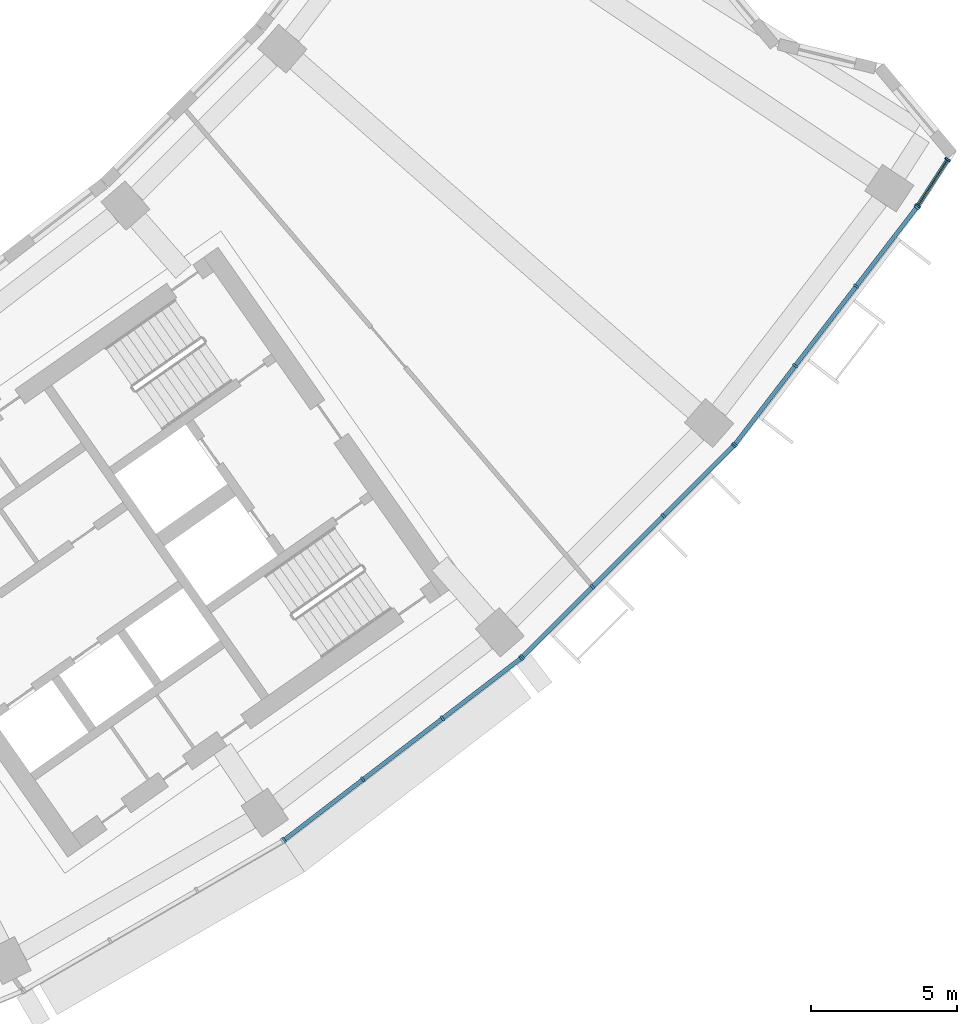
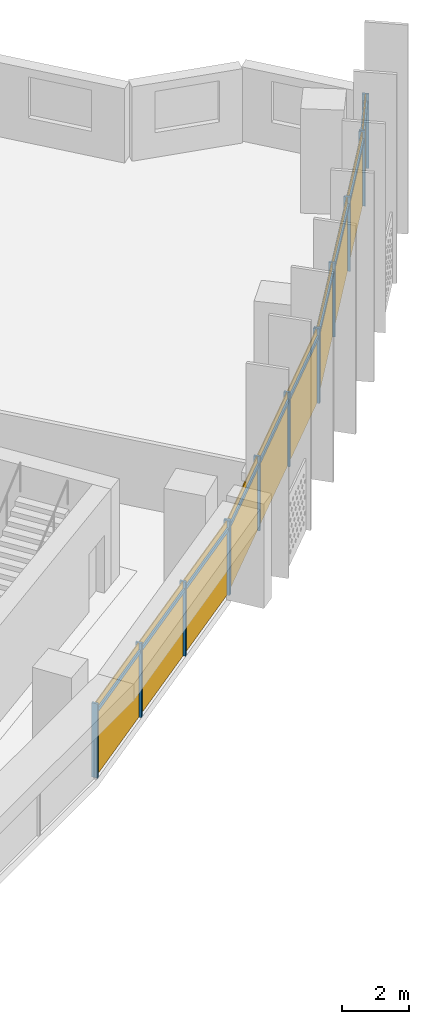
# One storey, part 20 of 27: 24 members, 4 curtain walls.
"""IFC4 building model written with IfcOpenShell, lengths in metres."""

from ifc_helpers import new_model, si_unit, direction, frame, origin, origin_2d, place, context, subcontext, project, spatial, rectangle, extrude, material, material_profile, profile_set, type_object, element, aggregate, save


model = new_model("IFC4")

# Units and contexts
model_context = context("Model", 3, precision=1e-05, world=origin(), true_north=direction((0.0, 1.0)))
body_context = subcontext(model_context, "Body", "Model", "MODEL_VIEW")
ifc_project = project(units=[si_unit("LENGTHUNIT", "METRE"), si_unit("AREAUNIT", "SQUARE_METRE"), si_unit("VOLUMEUNIT", "CUBIC_METRE"), si_unit("PLANEANGLEUNIT", "RADIAN"), si_unit("MASSUNIT", "GRAM", prefix="KILO")], contexts=[model_context])

# Member
ifc_material = material(Name="Aluminium 6063-T6 anodised", Category="aluminium")
ifc_material_profile_1 = material_profile(ifc_material, rectangle(XDim=0.199951171875, YDim=0.070068359375, at=origin_2d()))
ifc_profile_set_1 = profile_set([ifc_material_profile_1], Name="Aluminium 6063-T6 anodised")
member_type_1 = type_object("IfcMemberType", Name="Mullion 70 x 200 aluminium", PredefinedType="MULLION", material=ifc_profile_set_1)
site_placement = place(None, origin())
building_placement = place(site_placement, origin())
storey_placement = place(building_placement, frame((0.0, 0.0, 164.5)))
member_1_placement = place(storey_placement, frame((43.85693359375, -65.58544921875, 0.0), z_axis=(0.0, 0.0, 1.0), x_axis=(-0.608761429009, 0.793353340291, 0.0)))
member_1 = element("IfcMember", 1, at=member_1_placement, type_object=member_type_1, Name="e-cw1-L38-out12/M00", PredefinedType="MULLION", context=body_context, shape_type="SweptSolid", body=[
    extrude(rectangle(XDim=0.199951171875, YDim=0.070068359375, at=origin_2d()), origin(), (0.0, 0.0, 1.0), 2.699951171875),
])

member_2_placement = place(storey_placement, frame((46.56201171875, -63.509765625, 0.0), z_axis=(0.0, 0.0, 1.0), x_axis=(-0.608761429009, 0.793353340291, 0.0)))
member_2 = element("IfcMember", 2, at=member_2_placement, type_object=member_type_1, Name="e-cw1-L38-out12/M01", PredefinedType="MULLION", context=body_context, shape_type="SweptSolid", body=[
    extrude(rectangle(XDim=0.199951171875, YDim=0.070068359375, at=origin_2d()), origin(), (0.0, 0.0, 1.0), 2.699951171875),
])

member_3_placement = place(storey_placement, frame((49.294677734375, -61.412841796875, 0.0), z_axis=(0.0, 0.0, 1.0), x_axis=(-0.608761429009, 0.793353340291, 0.0)))
member_3 = element("IfcMember", 3, at=member_3_placement, type_object=member_type_1, Name="e-cw1-L38-out12/M02", PredefinedType="MULLION", context=body_context, shape_type="SweptSolid", body=[
    extrude(rectangle(XDim=0.199951171875, YDim=0.070068359375, at=origin_2d()), origin(), (0.0, 0.0, 1.0), 2.699951171875),
])

member_4_placement = place(storey_placement, frame((51.999755859375, -59.33740234375, 0.0), z_axis=(0.0, 0.0, 1.0), x_axis=(-0.608761429009, 0.793353340291, 0.0)))
member_4 = element("IfcMember", 4, at=member_4_placement, type_object=member_type_1, Name="e-cw1-L38-out12/M03", PredefinedType="MULLION", context=body_context, shape_type="SweptSolid", body=[
    extrude(rectangle(XDim=0.199951171875, YDim=0.070068359375, at=origin_2d()), origin(), (0.0, 0.0, 1.0), 2.699951171875),
])

member_5_placement = place(storey_placement, frame((52.042236328125, -59.2998046875, 0.0), z_axis=(0.0, 0.0, 1.0), x_axis=(-0.707106781187, 0.707106781187, 0.0)))
member_5 = element("IfcMember", 5, at=member_5_placement, type_object=member_type_1, Name="e-cw1-L38-out13/M00", PredefinedType="MULLION", context=body_context, shape_type="SweptSolid", body=[
    extrude(rectangle(XDim=0.199951171875, YDim=0.070068359375, at=origin_2d()), origin(), (0.0, 0.0, 1.0), 2.699951171875),
])

member_6_placement = place(storey_placement, frame((54.453369140625, -56.888916015625, 0.0), z_axis=(0.0, 0.0, 1.0), x_axis=(-0.707106781187, 0.707106781187, 0.0)))
member_6 = element("IfcMember", 6, at=member_6_placement, type_object=member_type_1, Name="e-cw1-L38-out13/M01", PredefinedType="MULLION", context=body_context, shape_type="SweptSolid", body=[
    extrude(rectangle(XDim=0.199951171875, YDim=0.070068359375, at=origin_2d()), origin(), (0.0, 0.0, 1.0), 2.699951171875),
])

member_7_placement = place(storey_placement, frame((56.888916015625, -54.453369140625, 0.0), z_axis=(0.0, 0.0, 1.0), x_axis=(-0.707106781187, 0.707106781187, 0.0)))
member_7 = element("IfcMember", 7, at=member_7_placement, type_object=member_type_1, Name="e-cw1-L38-out13/M02", PredefinedType="MULLION", context=body_context, shape_type="SweptSolid", body=[
    extrude(rectangle(XDim=0.199951171875, YDim=0.070068359375, at=origin_2d()), origin(), (0.0, 0.0, 1.0), 2.699951171875),
])

member_8_placement = place(storey_placement, frame((59.2998046875, -52.042236328125, 0.0), z_axis=(0.0, 0.0, 1.0), x_axis=(-0.707106781187, 0.707106781187, 0.0)))
member_8 = element("IfcMember", 8, at=member_8_placement, type_object=member_type_1, Name="e-cw1-L38-out13/M03", PredefinedType="MULLION", context=body_context, shape_type="SweptSolid", body=[
    extrude(rectangle(XDim=0.199951171875, YDim=0.070068359375, at=origin_2d()), origin(), (0.0, 0.0, 1.0), 2.699951171875),
])

member_9_placement = place(storey_placement, frame((59.33740234375, -51.999755859375, 0.0), z_axis=(0.0, 0.0, 1.0), x_axis=(-0.793353340291, 0.608761429009, 0.0)))
member_9 = element("IfcMember", 9, at=member_9_placement, type_object=member_type_1, Name="e-cw1-L38-out14/M00", PredefinedType="MULLION", context=body_context, shape_type="SweptSolid", body=[
    extrude(rectangle(XDim=0.199951171875, YDim=0.070068359375, at=origin_2d()), origin(), (0.0, 0.0, 1.0), 2.699951171875),
])

member_10_placement = place(storey_placement, frame((61.412841796875, -49.294677734375, 0.0), z_axis=(0.0, 0.0, 1.0), x_axis=(-0.793353340291, 0.608761429009, 0.0)))
member_10 = element("IfcMember", 10, at=member_10_placement, type_object=member_type_1, Name="e-cw1-L38-out14/M01", PredefinedType="MULLION", context=body_context, shape_type="SweptSolid", body=[
    extrude(rectangle(XDim=0.199951171875, YDim=0.070068359375, at=origin_2d()), origin(), (0.0, 0.0, 1.0), 2.699951171875),
])

member_11_placement = place(storey_placement, frame((63.509765625, -46.56201171875, 0.0), z_axis=(0.0, 0.0, 1.0), x_axis=(-0.793353340291, 0.608761429009, 0.0)))
member_11 = element("IfcMember", 11, at=member_11_placement, type_object=member_type_1, Name="e-cw1-L38-out14/M02", PredefinedType="MULLION", context=body_context, shape_type="SweptSolid", body=[
    extrude(rectangle(XDim=0.199951171875, YDim=0.070068359375, at=origin_2d()), origin(), (0.0, 0.0, 1.0), 2.699951171875),
])

member_12_placement = place(storey_placement, frame((65.58544921875, -43.85693359375, 0.0), z_axis=(0.0, 0.0, 1.0), x_axis=(-0.793353340291, 0.608761429009, 0.0)))
member_12 = element("IfcMember", 12, at=member_12_placement, type_object=member_type_1, Name="e-cw1-L38-out14/M03", PredefinedType="MULLION", context=body_context, shape_type="SweptSolid", body=[
    extrude(rectangle(XDim=0.199951171875, YDim=0.070068359375, at=origin_2d()), origin(), (0.0, 0.0, 1.0), 2.699951171875),
])

member_13_placement = place(storey_placement, frame((65.62109375, -43.806396484375, 0.0), z_axis=(0.0, 0.0, 1.0), x_axis=(-0.839646175777, 0.543133776802, 0.0)))
member_13 = element("IfcMember", 13, at=member_13_placement, type_object=member_type_1, Name="e-cw1-L38-out15/M00", PredefinedType="MULLION", context=body_context, shape_type="SweptSolid", body=[
    extrude(rectangle(XDim=0.199951171875, YDim=0.070068359375, at=origin_2d()), origin(), (0.0, 0.0, 1.0), 2.699951171875),
])

member_14_placement = place(storey_placement, frame((66.651123046875, -42.2138671875, 0.0), z_axis=(0.0, 0.0, 1.0), x_axis=(-0.839646175777, 0.543133776802, 0.0)))
member_14 = element("IfcMember", 14, at=member_14_placement, type_object=member_type_1, Name="e-cw1-L38-out15/M01", PredefinedType="MULLION", context=body_context, shape_type="SweptSolid", body=[
    extrude(rectangle(XDim=0.199951171875, YDim=0.070068359375, at=origin_2d()), origin(), (0.0, 0.0, 1.0), 2.699951171875),
])

ifc_material_profile_2 = material_profile(ifc_material, rectangle(XDim=0.139892578125, YDim=0.1201171875, at=origin_2d()))
ifc_profile_set_2 = profile_set([ifc_material_profile_2], Name="Aluminium 6063-T6 anodised")
member_type_2 = type_object("IfcMemberType", Name="Transom 120 x 140 aluminium", PredefinedType="USERDEFINED", material=ifc_profile_set_2)
member_15_placement = place(storey_placement, frame((43.884765625, -65.564208984375, 2.39990234375), z_axis=(0.793354486861, 0.608759934767, 0.0), x_axis=(-0.608759934767, 0.793354486861, 0.0)))
member_15 = element("IfcMember", 15, at=member_15_placement, type_object=member_type_2, Name="e-cw1-L38-out12/T00", ObjectType="TRANSOM", PredefinedType="USERDEFINED", context=body_context, shape_type="SweptSolid", body=[
    extrude(rectangle(XDim=0.139892578125, YDim=0.1201171875, at=origin_2d()), origin(), (0.0, 0.0, 1.0), 3.339599609375),
])

member_16_placement = place(storey_placement, frame((46.589599609375, -63.488525390625, 2.39990234375), z_axis=(0.793371081522, 0.608738307489, 0.0), x_axis=(-0.608738307489, 0.793371081522, 0.0)))
member_16 = element("IfcMember", 16, at=member_16_placement, type_object=member_type_2, Name="e-cw1-L38-out12/T01", ObjectType="TRANSOM", PredefinedType="USERDEFINED", context=body_context, shape_type="SweptSolid", body=[
    extrude(rectangle(XDim=0.139892578125, YDim=0.1201171875, at=origin_2d()), origin(), (0.0, 0.0, 1.0), 3.37451171875),
])

member_17_placement = place(storey_placement, frame((49.322509765625, -61.3916015625, 2.39990234375), z_axis=(0.793354486861, 0.608759934767, 0.0), x_axis=(-0.608759934767, 0.793354486861, 0.0)))
member_17 = element("IfcMember", 17, at=member_17_placement, type_object=member_type_2, Name="e-cw1-L38-out12/T02", ObjectType="TRANSOM", PredefinedType="USERDEFINED", context=body_context, shape_type="SweptSolid", body=[
    extrude(rectangle(XDim=0.139892578125, YDim=0.1201171875, at=origin_2d()), origin(), (0.0, 0.0, 1.0), 3.339599609375),
])

member_18_placement = place(storey_placement, frame((52.067138671875, -59.275146484375, 2.39990234375), z_axis=(0.707106781187, 0.707106781187, 0.0), x_axis=(-0.707106781187, 0.707106781187, 0.0)))
member_18 = element("IfcMember", 18, at=member_18_placement, type_object=member_type_2, Name="e-cw1-L38-out13/T00", ObjectType="TRANSOM", PredefinedType="USERDEFINED", context=body_context, shape_type="SweptSolid", body=[
    extrude(rectangle(XDim=0.139892578125, YDim=0.1201171875, at=origin_2d()), origin(), (0.0, 0.0, 1.0), 3.33935546875),
])

member_19_placement = place(storey_placement, frame((54.47802734375, -56.8642578125, 2.39990234375), z_axis=(0.707106781187, 0.707106781187, 0.0), x_axis=(-0.707106781187, 0.707106781187, 0.0)))
member_19 = element("IfcMember", 19, at=member_19_placement, type_object=member_type_2, Name="e-cw1-L38-out13/T01", ObjectType="TRANSOM", PredefinedType="USERDEFINED", context=body_context, shape_type="SweptSolid", body=[
    extrude(rectangle(XDim=0.139892578125, YDim=0.1201171875, at=origin_2d()), origin(), (0.0, 0.0, 1.0), 3.374755859375),
])

member_20_placement = place(storey_placement, frame((56.913818359375, -54.428466796875, 2.39990234375), z_axis=(0.707106781187, 0.707106781187, 0.0), x_axis=(-0.707106781187, 0.707106781187, 0.0)))
member_20 = element("IfcMember", 20, at=member_20_placement, type_object=member_type_2, Name="e-cw1-L38-out13/T02", ObjectType="TRANSOM", PredefinedType="USERDEFINED", context=body_context, shape_type="SweptSolid", body=[
    extrude(rectangle(XDim=0.139892578125, YDim=0.1201171875, at=origin_2d()), origin(), (0.0, 0.0, 1.0), 3.33935546875),
])

member_21_placement = place(storey_placement, frame((59.358642578125, -51.971923828125, 2.39990234375), z_axis=(0.608759934767, 0.793354486861, 0.0), x_axis=(-0.793354486861, 0.608759934767, 0.0)))
member_21 = element("IfcMember", 21, at=member_21_placement, type_object=member_type_2, Name="e-cw1-L38-out14/T00", ObjectType="TRANSOM", PredefinedType="USERDEFINED", context=body_context, shape_type="SweptSolid", body=[
    extrude(rectangle(XDim=0.139892578125, YDim=0.1201171875, at=origin_2d()), origin(), (0.0, 0.0, 1.0), 3.339599609375),
])

member_22_placement = place(storey_placement, frame((61.434326171875, -49.266845703125, 2.39990234375), z_axis=(0.608738307489, 0.793371081522, 0.0), x_axis=(-0.793371081522, 0.608738307489, 0.0)))
member_22 = element("IfcMember", 22, at=member_22_placement, type_object=member_type_2, Name="e-cw1-L38-out14/T01", ObjectType="TRANSOM", PredefinedType="USERDEFINED", context=body_context, shape_type="SweptSolid", body=[
    extrude(rectangle(XDim=0.139892578125, YDim=0.1201171875, at=origin_2d()), origin(), (0.0, 0.0, 1.0), 3.37451171875),
])

member_23_placement = place(storey_placement, frame((63.53125, -46.5341796875, 2.39990234375), z_axis=(0.608759934767, 0.793354486861, 0.0), x_axis=(-0.793354486861, 0.608759934767, 0.0)))
member_23 = element("IfcMember", 23, at=member_23_placement, type_object=member_type_2, Name="e-cw1-L38-out14/T02", ObjectType="TRANSOM", PredefinedType="USERDEFINED", context=body_context, shape_type="SweptSolid", body=[
    extrude(rectangle(XDim=0.139892578125, YDim=0.1201171875, at=origin_2d()), origin(), (0.0, 0.0, 1.0), 3.339599609375),
])

member_24_placement = place(storey_placement, frame((65.64013671875, -43.77685546875, 2.39990234375), z_axis=(0.543234650814, 0.839580915788, 0.0), x_axis=(-0.839580915788, 0.543234650814, 0.0)))
member_24 = element("IfcMember", 24, at=member_24_placement, type_object=member_type_2, Name="e-cw1-L38-out15/T00", ObjectType="TRANSOM", PredefinedType="USERDEFINED", context=body_context, shape_type="SweptSolid", body=[
    extrude(rectangle(XDim=0.139892578125, YDim=0.1201171875, at=origin_2d()), origin(), (0.0, 0.0, 1.0), 1.826416015625),
])

# Site, building, storey
site = spatial("IfcSite", under=ifc_project, at=site_placement, CompositionType="ELEMENT")
building = spatial("IfcBuilding", under=site, at=building_placement, Name="Qamariyya Broadcast Tower", CompositionType="ELEMENT")
storey = spatial("IfcBuildingStorey", under=building, at=storey_placement, Name="L38", CompositionType="ELEMENT", Elevation=164.5)

# Curtain wall
curtain_wall_type = type_object("IfcCurtainWallType", Name="Unitised curtain wall, anodised aluminium", PredefinedType="NOTDEFINED", material=ifc_material)
curtain_wall_1_placement = place(storey_placement, origin())
curtain_wall_1 = element("IfcCurtainWall", 25, at=curtain_wall_1_placement, inside=storey, type_object=curtain_wall_type, Name="e-cw1-L38-out12", PredefinedType="NOTDEFINED", context=body_context, shape_type="SweptSolid", body=[
    extrude(rectangle(XDim=3.339599609375, YDim=0.031982421875, at=origin_2d()), frame((45.20947265625, -64.547607421875, 0.0), x_axis=(0.793351517557, 0.608763804434, 0.0)), (0.0, 0.0, 1.0), 2.340087890625),
    extrude(rectangle(XDim=3.339599609375, YDim=0.031982421875, at=origin_2d()), frame((45.20947265625, -64.547607421875, 2.4599609375), x_axis=(0.793351517557, 0.608763804434, 0.0)), (0.0, 0.0, 1.0), 0.239990234375),
    extrude(rectangle(XDim=3.37451171875, YDim=0.031982421875, at=origin_2d()), frame((47.92822265625, -62.46142578125, 0.0), x_axis=(0.793351517557, 0.608763804434, 0.0)), (0.0, 0.0, 1.0), 2.340087890625),
    extrude(rectangle(XDim=3.37451171875, YDim=0.031982421875, at=origin_2d()), frame((47.92822265625, -62.46142578125, 2.4599609375), x_axis=(0.793351517557, 0.608763804434, 0.0)), (0.0, 0.0, 1.0), 0.239990234375),
    extrude(rectangle(XDim=3.339599609375, YDim=0.031982421875, at=origin_2d()), frame((50.64697265625, -60.375, 0.0), x_axis=(0.793351517557, 0.608763804434, 0.0)), (0.0, 0.0, 1.0), 2.340087890625),
    extrude(rectangle(XDim=3.339599609375, YDim=0.031982421875, at=origin_2d()), frame((50.64697265625, -60.375, 2.4599609375), x_axis=(0.793351517557, 0.608763804434, 0.0)), (0.0, 0.0, 1.0), 0.239990234375),
])

aggregate(curtain_wall_1, [member_1, member_2, member_3, member_4, member_15, member_16, member_17])

curtain_wall_2_placement = place(storey_placement, origin())
curtain_wall_2 = element("IfcCurtainWall", 26, at=curtain_wall_2_placement, inside=storey, type_object=curtain_wall_type, Name="e-cw1-L38-out13", PredefinedType="NOTDEFINED", context=body_context, shape_type="SweptSolid", body=[
    extrude(rectangle(XDim=3.339599609375, YDim=0.031982421875, at=origin_2d()), frame((53.247802734375, -58.094482421875, 0.0), x_axis=(0.707106781187, 0.707106781187, 0.0)), (0.0, 0.0, 1.0), 2.340087890625),
    extrude(rectangle(XDim=3.339599609375, YDim=0.031982421875, at=origin_2d()), frame((53.247802734375, -58.094482421875, 2.4599609375), x_axis=(0.707106781187, 0.707106781187, 0.0)), (0.0, 0.0, 1.0), 0.239990234375),
    extrude(rectangle(XDim=3.37451171875, YDim=0.031982421875, at=origin_2d()), frame((55.671142578125, -55.671142578125, 0.0), x_axis=(0.707106781187, 0.707106781187, 0.0)), (0.0, 0.0, 1.0), 2.340087890625),
    extrude(rectangle(XDim=3.37451171875, YDim=0.031982421875, at=origin_2d()), frame((55.671142578125, -55.671142578125, 2.4599609375), x_axis=(0.707106781187, 0.707106781187, 0.0)), (0.0, 0.0, 1.0), 0.239990234375),
    extrude(rectangle(XDim=3.339599609375, YDim=0.031982421875, at=origin_2d()), frame((58.094482421875, -53.247802734375, 0.0), x_axis=(0.707106781187, 0.707106781187, 0.0)), (0.0, 0.0, 1.0), 2.340087890625),
    extrude(rectangle(XDim=3.339599609375, YDim=0.031982421875, at=origin_2d()), frame((58.094482421875, -53.247802734375, 2.4599609375), x_axis=(0.707106781187, 0.707106781187, 0.0)), (0.0, 0.0, 1.0), 0.239990234375),
])

aggregate(curtain_wall_2, [member_5, member_6, member_7, member_8, member_18, member_19, member_20])

curtain_wall_3_placement = place(storey_placement, origin())
curtain_wall_3 = element("IfcCurtainWall", 27, at=curtain_wall_3_placement, inside=storey, type_object=curtain_wall_type, Name="e-cw1-L38-out14", PredefinedType="NOTDEFINED", context=body_context, shape_type="SweptSolid", body=[
    extrude(rectangle(XDim=3.339599609375, YDim=0.031982421875, at=origin_2d()), frame((60.375, -50.64697265625, 0.0), x_axis=(0.608763804434, 0.793351517557, 0.0)), (0.0, 0.0, 1.0), 2.340087890625),
    extrude(rectangle(XDim=3.339599609375, YDim=0.031982421875, at=origin_2d()), frame((60.375, -50.64697265625, 2.4599609375), x_axis=(0.608763804434, 0.793351517557, 0.0)), (0.0, 0.0, 1.0), 0.239990234375),
    extrude(rectangle(XDim=3.37451171875, YDim=0.031982421875, at=origin_2d()), frame((62.46142578125, -47.92822265625, 0.0), x_axis=(0.608763804434, 0.793351517557, 0.0)), (0.0, 0.0, 1.0), 2.340087890625),
    extrude(rectangle(XDim=3.37451171875, YDim=0.031982421875, at=origin_2d()), frame((62.46142578125, -47.92822265625, 2.4599609375), x_axis=(0.608763804434, 0.793351517557, 0.0)), (0.0, 0.0, 1.0), 0.239990234375),
    extrude(rectangle(XDim=3.339599609375, YDim=0.031982421875, at=origin_2d()), frame((64.547607421875, -45.20947265625, 0.0), x_axis=(0.608763804434, 0.793351517557, 0.0)), (0.0, 0.0, 1.0), 2.340087890625),
    extrude(rectangle(XDim=3.339599609375, YDim=0.031982421875, at=origin_2d()), frame((64.547607421875, -45.20947265625, 2.4599609375), x_axis=(0.608763804434, 0.793351517557, 0.0)), (0.0, 0.0, 1.0), 0.239990234375),
])

aggregate(curtain_wall_3, [member_9, member_10, member_11, member_12, member_21, member_22, member_23])

curtain_wall_4_placement = place(storey_placement, origin())
curtain_wall_4 = element("IfcCurtainWall", 28, at=curtain_wall_4_placement, inside=storey, type_object=curtain_wall_type, Name="e-cw1-L38-out15", PredefinedType="NOTDEFINED", context=body_context, shape_type="SweptSolid", body=[
    extrude(rectangle(XDim=1.826416015625, YDim=0.031982421875, at=origin_2d()), frame((66.13623046875, -43.01025390625, 0.0), x_axis=(0.543158616152, 0.839630107666, 0.0)), (0.0, 0.0, 1.0), 2.340087890625),
    extrude(rectangle(XDim=1.826416015625, YDim=0.031982421875, at=origin_2d()), frame((66.13623046875, -43.01025390625, 2.4599609375), x_axis=(0.543158616152, 0.839630107666, 0.0)), (0.0, 0.0, 1.0), 0.239990234375),
])

aggregate(curtain_wall_4, [member_13, member_14, member_24])

save(model, "model.ifc")
